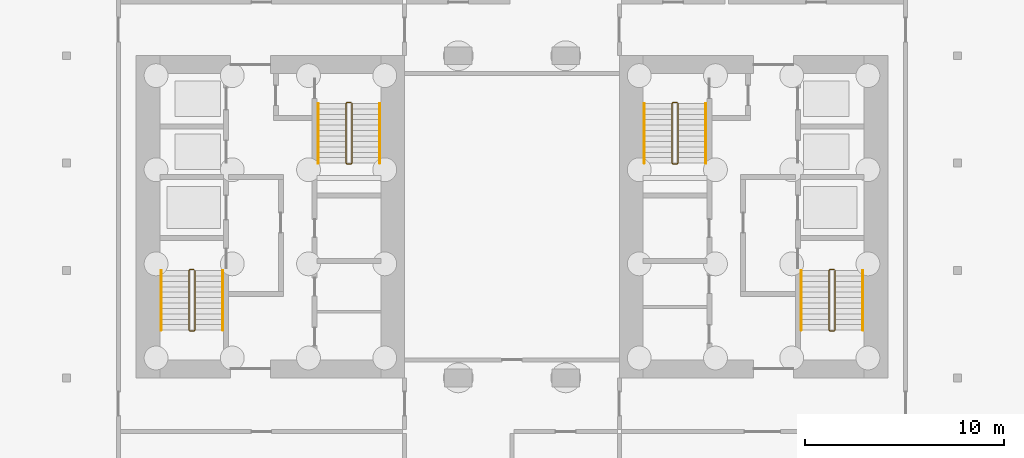
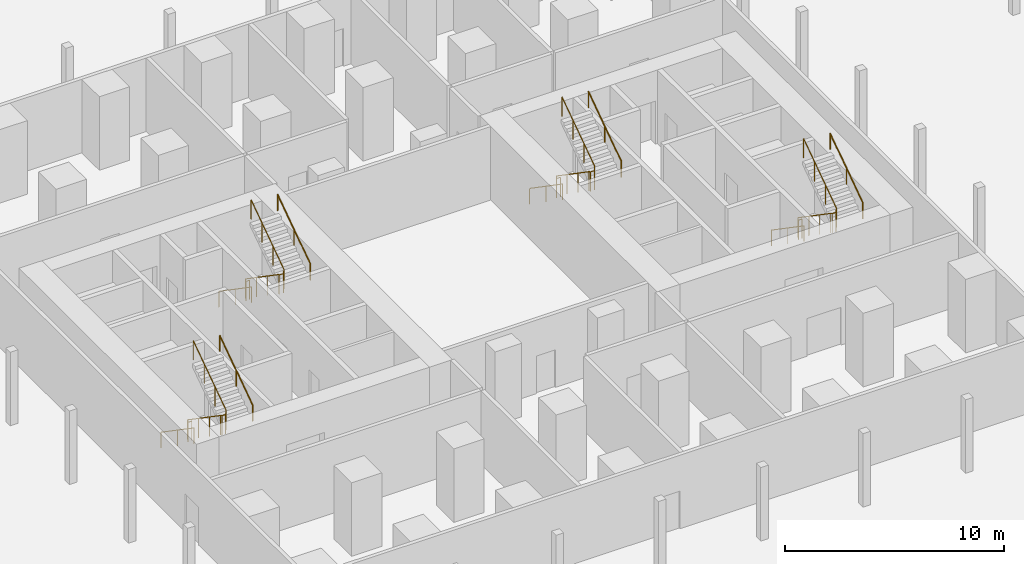
# One storey, part 7 of 8: 12 railings.
"""IFC4 building model written with IfcOpenShell, lengths in metres."""

from ifc_helpers import new_model, si_unit, direction, frame, origin, origin_2d, place, context, subcontext, project, spatial, circle, extrude, material, type_object, element, save


model = new_model("IFC4")

# Units and contexts
model_context = context("Model", 3, precision=1e-05, world=origin(), true_north=direction((0.0, 1.0)))
body_context = subcontext(model_context, "Body", "Model", "MODEL_VIEW")
ifc_project = project(units=[si_unit("LENGTHUNIT", "METRE"), si_unit("AREAUNIT", "SQUARE_METRE"), si_unit("VOLUMEUNIT", "CUBIC_METRE"), si_unit("PLANEANGLEUNIT", "RADIAN"), si_unit("MASSUNIT", "GRAM", prefix="KILO")], contexts=[model_context])

# Site, building, storey
site_placement = place(None, origin())
site = spatial("IfcSite", under=ifc_project, at=site_placement, CompositionType="ELEMENT")
building_placement = place(site_placement, origin())
building = spatial("IfcBuilding", under=site, at=building_placement, Name="Tabaq Tower and Sports Hall", CompositionType="ELEMENT")
storey_placement = place(building_placement, frame((0.0, 0.0, -9.0)))
storey = spatial("IfcBuildingStorey", under=building, at=storey_placement, Name="B02", CompositionType="ELEMENT", Elevation=-9.0)

# Railings
ifc_material_1 = material(Name="Stainless steel", Category="steel")
railing_type_1 = type_object("IfcRailingType", Name="Stair guard", PredefinedType="GUARDRAIL", material=ifc_material_1)
railing_1_placement = place(storey_placement, frame((8.300048828125, 21.64990234375, 0.0)))
element("IfcRailing", 1, at=railing_1_placement, inside=storey, type_object=railing_type_1, Name="B02 ST1 stair guard 1", PredefinedType="GUARDRAIL", context=body_context, shape_type="SweptSolid", body=[
    extrude(circle(Radius=0.02392578125, at=origin_2d()), frame((0.0, 0.0, 1.076171875), z_axis=(-1.0, 0.0, 0.0), x_axis=(0.0, -1.0, 0.0)), (0.0, 0.0, 1.0), 0.199951171875),
    extrude(circle(Radius=0.02392578125, at=origin_2d()), frame((-0.199951171875, 0.0, 1.076171875), z_axis=(-0.249802250048, -0.248583702486, 0.935844527007), x_axis=(0.705375805398, -0.708833529934, 0.0)), (0.0, 0.0, 1.0), 0.200439453125),
    extrude(circle(Radius=0.02392578125, at=origin_2d()), frame((-0.25, -0.0498046875, 1.263671875), z_axis=(0.0, -0.824041924199, 0.566528822887), x_axis=(1.0, 0.0, 0.0)), (0.0, 0.0, 1.0), 3.640625),
    extrude(circle(Radius=0.02392578125, at=origin_2d()), frame((-0.25, -3.0498046875, 3.326171875), z_axis=(0.707106781187, -0.707106781187, 0.0), x_axis=(0.707106781187, 0.707106781187, 0.0)), (0.0, 0.0, 1.0), 0.07080078125),
    extrude(circle(Radius=0.02392578125, at=origin_2d()), frame((-0.199951171875, -3.099853515625, 3.326171875), z_axis=(1.0, 0.0, 0.0), x_axis=(0.0, 1.0, 0.0)), (0.0, 0.0, 1.0), 0.199951171875),
    extrude(circle(Radius=0.02392578125, at=origin_2d()), frame((0.0, -3.099853515625, 3.326171875), z_axis=(0.249726431254, 0.249726431254, 0.935560483917), x_axis=(-0.707106781187, 0.707106781187, 0.0)), (0.0, 0.0, 1.0), 0.200439453125),
    extrude(circle(Radius=0.02392578125, at=origin_2d()), frame((0.050048828125, -3.0498046875, 3.513671875), z_axis=(0.0, 0.824041924199, 0.566528822887), x_axis=(-1.0, 0.0, 0.0)), (0.0, 0.0, 1.0), 3.640625),
    extrude(circle(Radius=0.02099609375, at=origin_2d()), origin(), (0.0, 0.0, 1.0), 1.052001953125),
    extrude(circle(Radius=0.02099609375, at=origin_2d()), frame((-0.199951171875, 0.0, 0.0)), (0.0, 0.0, 1.0), 1.052001953125),
    extrude(circle(Radius=0.02099609375, at=origin_2d()), frame((-0.25, -0.0498046875, 0.1875)), (0.0, 0.0, 1.0), 1.052001953125),
    extrude(circle(Radius=0.02099609375, at=origin_2d()), frame((-0.25, -1.0498046875, 0.875)), (0.0, 0.0, 1.0), 1.052001953125),
    extrude(circle(Radius=0.02099609375, at=origin_2d()), frame((-0.25, -2.0498046875, 1.5625)), (0.0, 0.0, 1.0), 1.052001953125),
    extrude(circle(Radius=0.02099609375, at=origin_2d()), frame((-0.25, -3.0498046875, 2.25)), (0.0, 0.0, 1.0), 1.052001953125),
    extrude(circle(Radius=0.02099609375, at=origin_2d()), frame((-0.199951171875, -3.099853515625, 2.25)), (0.0, 0.0, 1.0), 1.052001953125),
    extrude(circle(Radius=0.02099609375, at=origin_2d()), frame((0.0, -3.099853515625, 2.25)), (0.0, 0.0, 1.0), 1.052001953125),
    extrude(circle(Radius=0.02099609375, at=origin_2d()), frame((0.050048828125, -3.0498046875, 2.4375)), (0.0, 0.0, 1.0), 1.052001953125),
    extrude(circle(Radius=0.02099609375, at=origin_2d()), frame((0.050048828125, -2.0498046875, 3.125)), (0.0, 0.0, 1.0), 1.052001953125),
    extrude(circle(Radius=0.02099609375, at=origin_2d()), frame((0.050048828125, -1.0498046875, 3.8125)), (0.0, 0.0, 1.0), 1.052001953125),
    extrude(circle(Radius=0.02099609375, at=origin_2d()), frame((0.050048828125, -0.0498046875, 4.5)), (0.0, 0.0, 1.0), 1.052001953125),
])
railing_2_placement = place(storey_placement, frame((16.199951171875, 30.050048828125, 0.0)))
element("IfcRailing", 2, at=railing_2_placement, inside=storey, type_object=railing_type_1, Name="B02 ST2 stair guard 1", PredefinedType="GUARDRAIL", context=body_context, shape_type="SweptSolid", body=[
    extrude(circle(Radius=0.02392578125, at=origin_2d()), frame((0.0, 0.0, 1.076171875), z_axis=(-1.0, 0.0, 0.0), x_axis=(0.0, -1.0, 0.0)), (0.0, 0.0, 1.0), 0.199951171875),
    extrude(circle(Radius=0.02392578125, at=origin_2d()), frame((-0.199951171875, 0.0, 1.076171875), z_axis=(-0.249726431254, -0.249726431254, 0.935560483917), x_axis=(0.707106781187, -0.707106781187, 0.0)), (0.0, 0.0, 1.0), 0.200439453125),
    extrude(circle(Radius=0.02392578125, at=origin_2d()), frame((-0.25, -0.050048828125, 1.263671875), z_axis=(0.0, -0.824041924199, 0.566528822887), x_axis=(1.0, 0.0, 0.0)), (0.0, 0.0, 1.0), 3.640625),
    extrude(circle(Radius=0.02392578125, at=origin_2d()), frame((-0.25, -3.050048828125, 3.326171875), z_axis=(0.707106781187, -0.707106781187, 0.0), x_axis=(0.707106781187, 0.707106781187, 0.0)), (0.0, 0.0, 1.0), 0.07080078125),
    extrude(circle(Radius=0.02392578125, at=origin_2d()), frame((-0.199951171875, -3.10009765625, 3.326171875), z_axis=(1.0, 0.0, 0.0), x_axis=(0.0, 1.0, 0.0)), (0.0, 0.0, 1.0), 0.199951171875),
    extrude(circle(Radius=0.02392578125, at=origin_2d()), frame((0.0, -3.10009765625, 3.326171875), z_axis=(0.249726431254, 0.249726431254, 0.935560483917), x_axis=(-0.707106781187, 0.707106781187, 0.0)), (0.0, 0.0, 1.0), 0.200439453125),
    extrude(circle(Radius=0.02392578125, at=origin_2d()), frame((0.050048828125, -3.050048828125, 3.513671875), z_axis=(0.0, 0.824041924199, 0.566528822887), x_axis=(-1.0, 0.0, 0.0)), (0.0, 0.0, 1.0), 3.640625),
    extrude(circle(Radius=0.02099609375, at=origin_2d()), origin(), (0.0, 0.0, 1.0), 1.052001953125),
    extrude(circle(Radius=0.02099609375, at=origin_2d()), frame((-0.199951171875, 0.0, 0.0)), (0.0, 0.0, 1.0), 1.052001953125),
    extrude(circle(Radius=0.02099609375, at=origin_2d()), frame((-0.25, -0.050048828125, 0.1875)), (0.0, 0.0, 1.0), 1.052001953125),
    extrude(circle(Radius=0.02099609375, at=origin_2d()), frame((-0.25, -1.050048828125, 0.875)), (0.0, 0.0, 1.0), 1.052001953125),
    extrude(circle(Radius=0.02099609375, at=origin_2d()), frame((-0.25, -2.050048828125, 1.5625)), (0.0, 0.0, 1.0), 1.052001953125),
    extrude(circle(Radius=0.02099609375, at=origin_2d()), frame((-0.25, -3.050048828125, 2.25)), (0.0, 0.0, 1.0), 1.052001953125),
    extrude(circle(Radius=0.02099609375, at=origin_2d()), frame((-0.199951171875, -3.10009765625, 2.25)), (0.0, 0.0, 1.0), 1.052001953125),
    extrude(circle(Radius=0.02099609375, at=origin_2d()), frame((0.0, -3.10009765625, 2.25)), (0.0, 0.0, 1.0), 1.052001953125),
    extrude(circle(Radius=0.02099609375, at=origin_2d()), frame((0.050048828125, -3.050048828125, 2.4375)), (0.0, 0.0, 1.0), 1.052001953125),
    extrude(circle(Radius=0.02099609375, at=origin_2d()), frame((0.050048828125, -2.050048828125, 3.125)), (0.0, 0.0, 1.0), 1.052001953125),
    extrude(circle(Radius=0.02099609375, at=origin_2d()), frame((0.050048828125, -1.050048828125, 3.8125)), (0.0, 0.0, 1.0), 1.052001953125),
    extrude(circle(Radius=0.02099609375, at=origin_2d()), frame((0.050048828125, -0.050048828125, 4.5)), (0.0, 0.0, 1.0), 1.052001953125),
])
railing_3_placement = place(storey_placement, frame((40.5, 21.64990234375, 0.0)))
element("IfcRailing", 3, at=railing_3_placement, inside=storey, type_object=railing_type_1, Name="B02 ST3 stair guard 1", PredefinedType="GUARDRAIL", context=body_context, shape_type="SweptSolid", body=[
    extrude(circle(Radius=0.02392578125, at=origin_2d()), frame((0.0, 0.0, 1.076171875), z_axis=(-1.0, 0.0, 0.0), x_axis=(0.0, -1.0, 0.0)), (0.0, 0.0, 1.0), 0.199951171875),
    extrude(circle(Radius=0.02392578125, at=origin_2d()), frame((-0.199951171875, 0.0, 1.076171875), z_axis=(-0.249802250048, -0.248583702486, 0.935844527007), x_axis=(0.705375805398, -0.708833529934, 0.0)), (0.0, 0.0, 1.0), 0.200439453125),
    extrude(circle(Radius=0.02392578125, at=origin_2d()), frame((-0.25, -0.0498046875, 1.263671875), z_axis=(0.0, -0.824041924199, 0.566528822887), x_axis=(1.0, 0.0, 0.0)), (0.0, 0.0, 1.0), 3.640625),
    extrude(circle(Radius=0.02392578125, at=origin_2d()), frame((-0.25, -3.0498046875, 3.326171875), z_axis=(0.707106781187, -0.707106781187, 0.0), x_axis=(0.707106781187, 0.707106781187, 0.0)), (0.0, 0.0, 1.0), 0.07080078125),
    extrude(circle(Radius=0.02392578125, at=origin_2d()), frame((-0.199951171875, -3.099853515625, 3.326171875), z_axis=(1.0, 0.0, 0.0), x_axis=(0.0, 1.0, 0.0)), (0.0, 0.0, 1.0), 0.199951171875),
    extrude(circle(Radius=0.02392578125, at=origin_2d()), frame((0.0, -3.099853515625, 3.326171875), z_axis=(0.249726431254, 0.249726431254, 0.935560483917), x_axis=(-0.707106781187, 0.707106781187, 0.0)), (0.0, 0.0, 1.0), 0.200439453125),
    extrude(circle(Radius=0.02392578125, at=origin_2d()), frame((0.050048828125, -3.0498046875, 3.513671875), z_axis=(0.0, 0.824041924199, 0.566528822887), x_axis=(-1.0, 0.0, 0.0)), (0.0, 0.0, 1.0), 3.640625),
    extrude(circle(Radius=0.02099609375, at=origin_2d()), origin(), (0.0, 0.0, 1.0), 1.052001953125),
    extrude(circle(Radius=0.02099609375, at=origin_2d()), frame((-0.199951171875, 0.0, 0.0)), (0.0, 0.0, 1.0), 1.052001953125),
    extrude(circle(Radius=0.02099609375, at=origin_2d()), frame((-0.25, -0.0498046875, 0.1875)), (0.0, 0.0, 1.0), 1.052001953125),
    extrude(circle(Radius=0.02099609375, at=origin_2d()), frame((-0.25, -1.0498046875, 0.875)), (0.0, 0.0, 1.0), 1.052001953125),
    extrude(circle(Radius=0.02099609375, at=origin_2d()), frame((-0.25, -2.0498046875, 1.5625)), (0.0, 0.0, 1.0), 1.052001953125),
    extrude(circle(Radius=0.02099609375, at=origin_2d()), frame((-0.25, -3.0498046875, 2.25)), (0.0, 0.0, 1.0), 1.052001953125),
    extrude(circle(Radius=0.02099609375, at=origin_2d()), frame((-0.199951171875, -3.099853515625, 2.25)), (0.0, 0.0, 1.0), 1.052001953125),
    extrude(circle(Radius=0.02099609375, at=origin_2d()), frame((0.0, -3.099853515625, 2.25)), (0.0, 0.0, 1.0), 1.052001953125),
    extrude(circle(Radius=0.02099609375, at=origin_2d()), frame((0.050048828125, -3.0498046875, 2.4375)), (0.0, 0.0, 1.0), 1.052001953125),
    extrude(circle(Radius=0.02099609375, at=origin_2d()), frame((0.050048828125, -2.0498046875, 3.125)), (0.0, 0.0, 1.0), 1.052001953125),
    extrude(circle(Radius=0.02099609375, at=origin_2d()), frame((0.050048828125, -1.0498046875, 3.8125)), (0.0, 0.0, 1.0), 1.052001953125),
    extrude(circle(Radius=0.02099609375, at=origin_2d()), frame((0.050048828125, -0.0498046875, 4.5)), (0.0, 0.0, 1.0), 1.052001953125),
])
railing_4_placement = place(storey_placement, frame((32.60009765625, 30.050048828125, 0.0)))
element("IfcRailing", 4, at=railing_4_placement, inside=storey, type_object=railing_type_1, Name="B02 ST4 stair guard 1", PredefinedType="GUARDRAIL", context=body_context, shape_type="SweptSolid", body=[
    extrude(circle(Radius=0.02392578125, at=origin_2d()), frame((0.0, 0.0, 1.076171875), z_axis=(-1.0, 0.0, 0.0), x_axis=(0.0, -1.0, 0.0)), (0.0, 0.0, 1.0), 0.2001953125),
    extrude(circle(Radius=0.02392578125, at=origin_2d()), frame((-0.2001953125, 0.0, 1.076171875), z_axis=(-0.248583702486, -0.249802250048, 0.935844527007), x_axis=(0.708833529934, -0.705375805398, 0.0)), (0.0, 0.0, 1.0), 0.200439453125),
    extrude(circle(Radius=0.02392578125, at=origin_2d()), frame((-0.25, -0.050048828125, 1.263671875), z_axis=(0.0, -0.824041924199, 0.566528822887), x_axis=(1.0, 0.0, 0.0)), (0.0, 0.0, 1.0), 3.640625),
    extrude(circle(Radius=0.02392578125, at=origin_2d()), frame((-0.25, -3.050048828125, 3.326171875), z_axis=(0.705375805398, -0.708833529934, 0.0), x_axis=(0.708833529934, 0.705375805398, 0.0)), (0.0, 0.0, 1.0), 0.070556640625),
    extrude(circle(Radius=0.02392578125, at=origin_2d()), frame((-0.2001953125, -3.10009765625, 3.326171875), z_axis=(1.0, 0.0, 0.0), x_axis=(0.0, 1.0, 0.0)), (0.0, 0.0, 1.0), 0.2001953125),
    extrude(circle(Radius=0.02392578125, at=origin_2d()), frame((0.0, -3.10009765625, 3.326171875), z_axis=(0.248583702486, 0.249802250048, 0.935844527007), x_axis=(-0.708833529934, 0.705375805398, 0.0)), (0.0, 0.0, 1.0), 0.200439453125),
    extrude(circle(Radius=0.02392578125, at=origin_2d()), frame((0.0498046875, -3.050048828125, 3.513671875), z_axis=(0.0, 0.824041924199, 0.566528822887), x_axis=(-1.0, 0.0, 0.0)), (0.0, 0.0, 1.0), 3.640625),
    extrude(circle(Radius=0.02099609375, at=origin_2d()), origin(), (0.0, 0.0, 1.0), 1.052001953125),
    extrude(circle(Radius=0.02099609375, at=origin_2d()), frame((-0.2001953125, 0.0, 0.0)), (0.0, 0.0, 1.0), 1.052001953125),
    extrude(circle(Radius=0.02099609375, at=origin_2d()), frame((-0.25, -0.050048828125, 0.1875)), (0.0, 0.0, 1.0), 1.052001953125),
    extrude(circle(Radius=0.02099609375, at=origin_2d()), frame((-0.25, -1.050048828125, 0.875)), (0.0, 0.0, 1.0), 1.052001953125),
    extrude(circle(Radius=0.02099609375, at=origin_2d()), frame((-0.25, -2.050048828125, 1.5625)), (0.0, 0.0, 1.0), 1.052001953125),
    extrude(circle(Radius=0.02099609375, at=origin_2d()), frame((-0.25, -3.050048828125, 2.25)), (0.0, 0.0, 1.0), 1.052001953125),
    extrude(circle(Radius=0.02099609375, at=origin_2d()), frame((-0.2001953125, -3.10009765625, 2.25)), (0.0, 0.0, 1.0), 1.052001953125),
    extrude(circle(Radius=0.02099609375, at=origin_2d()), frame((0.0, -3.10009765625, 2.25)), (0.0, 0.0, 1.0), 1.052001953125),
    extrude(circle(Radius=0.02099609375, at=origin_2d()), frame((0.0498046875, -3.050048828125, 2.4375)), (0.0, 0.0, 1.0), 1.052001953125),
    extrude(circle(Radius=0.02099609375, at=origin_2d()), frame((0.0498046875, -2.050048828125, 3.125)), (0.0, 0.0, 1.0), 1.052001953125),
    extrude(circle(Radius=0.02099609375, at=origin_2d()), frame((0.0498046875, -1.050048828125, 3.8125)), (0.0, 0.0, 1.0), 1.052001953125),
    extrude(circle(Radius=0.02099609375, at=origin_2d()), frame((0.0498046875, -0.050048828125, 4.5)), (0.0, 0.0, 1.0), 1.052001953125),
])
ifc_material_2 = material(Name="Stainless steel", Category="steel")
railing_type_2 = type_object("IfcRailingType", Name="Stair handrail", PredefinedType="HANDRAIL", material=ifc_material_2)
railing_5_placement = place(storey_placement, frame((6.64990234375, 21.60009765625, 0.1875)))
element("IfcRailing", 5, at=railing_5_placement, inside=storey, type_object=railing_type_2, Name="B02 ST1 stair handrail 1", PredefinedType="HANDRAIL", context=body_context, shape_type="SweptSolid", body=[
    extrude(circle(Radius=0.02392578125, at=origin_2d()), frame((0.0, 0.0, 0.8759765625), z_axis=(0.0, -0.824041924199, 0.566528822887), x_axis=(1.0, 0.0, 0.0)), (0.0, 0.0, 1.0), 3.640625),
    extrude(circle(Radius=0.02099609375, at=origin_2d()), origin(), (0.0, 0.0, 1.0), 0.851806640625),
    extrude(circle(Radius=0.02099609375, at=origin_2d()), frame((0.0, -1.5, 1.03125)), (0.0, 0.0, 1.0), 0.851806640625),
    extrude(circle(Radius=0.02099609375, at=origin_2d()), frame((0.0, -3.0, 2.0625)), (0.0, 0.0, 1.0), 0.851806640625),
])
railing_6_placement = place(storey_placement, frame((9.75, 18.60009765625, 2.4375)))
element("IfcRailing", 6, at=railing_6_placement, inside=storey, type_object=railing_type_2, Name="B02 ST1 stair handrail 2", PredefinedType="HANDRAIL", context=body_context, shape_type="SweptSolid", body=[
    extrude(circle(Radius=0.02392578125, at=origin_2d()), frame((0.0, 0.0, 0.8759765625), z_axis=(0.0, 0.824041924199, 0.566528822887), x_axis=(-1.0, 0.0, 0.0)), (0.0, 0.0, 1.0), 3.640625),
    extrude(circle(Radius=0.02099609375, at=origin_2d()), origin(), (0.0, 0.0, 1.0), 0.851806640625),
    extrude(circle(Radius=0.02099609375, at=origin_2d()), frame((0.0, 1.5, 1.03125)), (0.0, 0.0, 1.0), 0.851806640625),
    extrude(circle(Radius=0.02099609375, at=origin_2d()), frame((0.0, 3.0, 2.0625)), (0.0, 0.0, 1.0), 0.851806640625),
])
railing_7_placement = place(storey_placement, frame((14.550048828125, 30.0, 0.1875)))
element("IfcRailing", 7, at=railing_7_placement, inside=storey, type_object=railing_type_2, Name="B02 ST2 stair handrail 1", PredefinedType="HANDRAIL", context=body_context, shape_type="SweptSolid", body=[
    extrude(circle(Radius=0.02392578125, at=origin_2d()), frame((0.0, 0.0, 0.8759765625), z_axis=(0.0, -0.824041924199, 0.566528822887), x_axis=(1.0, 0.0, 0.0)), (0.0, 0.0, 1.0), 3.640625),
    extrude(circle(Radius=0.02099609375, at=origin_2d()), origin(), (0.0, 0.0, 1.0), 0.851806640625),
    extrude(circle(Radius=0.02099609375, at=origin_2d()), frame((0.0, -1.5, 1.03125)), (0.0, 0.0, 1.0), 0.851806640625),
    extrude(circle(Radius=0.02099609375, at=origin_2d()), frame((0.0, -3.0, 2.0625)), (0.0, 0.0, 1.0), 0.851806640625),
])
railing_8_placement = place(storey_placement, frame((17.64990234375, 27.0, 2.4375)))
element("IfcRailing", 8, at=railing_8_placement, inside=storey, type_object=railing_type_2, Name="B02 ST2 stair handrail 2", PredefinedType="HANDRAIL", context=body_context, shape_type="SweptSolid", body=[
    extrude(circle(Radius=0.02392578125, at=origin_2d()), frame((0.0, 0.0, 0.8759765625), z_axis=(0.0, 0.824041924199, 0.566528822887), x_axis=(-1.0, 0.0, 0.0)), (0.0, 0.0, 1.0), 3.640625),
    extrude(circle(Radius=0.02099609375, at=origin_2d()), origin(), (0.0, 0.0, 1.0), 0.851806640625),
    extrude(circle(Radius=0.02099609375, at=origin_2d()), frame((0.0, 1.5, 1.03125)), (0.0, 0.0, 1.0), 0.851806640625),
    extrude(circle(Radius=0.02099609375, at=origin_2d()), frame((0.0, 3.0, 2.0625)), (0.0, 0.0, 1.0), 0.851806640625),
])
railing_9_placement = place(storey_placement, frame((38.85009765625, 21.60009765625, 0.1875)))
element("IfcRailing", 9, at=railing_9_placement, inside=storey, type_object=railing_type_2, Name="B02 ST3 stair handrail 1", PredefinedType="HANDRAIL", context=body_context, shape_type="SweptSolid", body=[
    extrude(circle(Radius=0.02392578125, at=origin_2d()), frame((0.0, 0.0, 0.8759765625), z_axis=(0.0, -0.824041924199, 0.566528822887), x_axis=(1.0, 0.0, 0.0)), (0.0, 0.0, 1.0), 3.640625),
    extrude(circle(Radius=0.02099609375, at=origin_2d()), origin(), (0.0, 0.0, 1.0), 0.851806640625),
    extrude(circle(Radius=0.02099609375, at=origin_2d()), frame((0.0, -1.5, 1.03125)), (0.0, 0.0, 1.0), 0.851806640625),
    extrude(circle(Radius=0.02099609375, at=origin_2d()), frame((0.0, -3.0, 2.0625)), (0.0, 0.0, 1.0), 0.851806640625),
])
railing_10_placement = place(storey_placement, frame((41.949951171875, 18.60009765625, 2.4375)))
element("IfcRailing", 10, at=railing_10_placement, inside=storey, type_object=railing_type_2, Name="B02 ST3 stair handrail 2", PredefinedType="HANDRAIL", context=body_context, shape_type="SweptSolid", body=[
    extrude(circle(Radius=0.02392578125, at=origin_2d()), frame((0.0, 0.0, 0.8759765625), z_axis=(0.0, 0.824041924199, 0.566528822887), x_axis=(-1.0, 0.0, 0.0)), (0.0, 0.0, 1.0), 3.640625),
    extrude(circle(Radius=0.02099609375, at=origin_2d()), origin(), (0.0, 0.0, 1.0), 0.851806640625),
    extrude(circle(Radius=0.02099609375, at=origin_2d()), frame((0.0, 1.5, 1.03125)), (0.0, 0.0, 1.0), 0.851806640625),
    extrude(circle(Radius=0.02099609375, at=origin_2d()), frame((0.0, 3.0, 2.0625)), (0.0, 0.0, 1.0), 0.851806640625),
])
railing_11_placement = place(storey_placement, frame((30.949951171875, 30.0, 0.1875)))
element("IfcRailing", 11, at=railing_11_placement, inside=storey, type_object=railing_type_2, Name="B02 ST4 stair handrail 1", PredefinedType="HANDRAIL", context=body_context, shape_type="SweptSolid", body=[
    extrude(circle(Radius=0.02392578125, at=origin_2d()), frame((0.0, 0.0, 0.8759765625), z_axis=(0.0, -0.824041924199, 0.566528822887), x_axis=(1.0, 0.0, 0.0)), (0.0, 0.0, 1.0), 3.640625),
    extrude(circle(Radius=0.02099609375, at=origin_2d()), origin(), (0.0, 0.0, 1.0), 0.851806640625),
    extrude(circle(Radius=0.02099609375, at=origin_2d()), frame((0.0, -1.5, 1.03125)), (0.0, 0.0, 1.0), 0.851806640625),
    extrude(circle(Radius=0.02099609375, at=origin_2d()), frame((0.0, -3.0, 2.0625)), (0.0, 0.0, 1.0), 0.851806640625),
])
railing_12_placement = place(storey_placement, frame((34.050048828125, 27.0, 2.4375)))
element("IfcRailing", 12, at=railing_12_placement, inside=storey, type_object=railing_type_2, Name="B02 ST4 stair handrail 2", PredefinedType="HANDRAIL", context=body_context, shape_type="SweptSolid", body=[
    extrude(circle(Radius=0.02392578125, at=origin_2d()), frame((0.0, 0.0, 0.8759765625), z_axis=(0.0, 0.824041924199, 0.566528822887), x_axis=(-1.0, 0.0, 0.0)), (0.0, 0.0, 1.0), 3.640625),
    extrude(circle(Radius=0.02099609375, at=origin_2d()), origin(), (0.0, 0.0, 1.0), 0.851806640625),
    extrude(circle(Radius=0.02099609375, at=origin_2d()), frame((0.0, 1.5, 1.03125)), (0.0, 0.0, 1.0), 0.851806640625),
    extrude(circle(Radius=0.02099609375, at=origin_2d()), frame((0.0, 3.0, 2.0625)), (0.0, 0.0, 1.0), 0.851806640625),
])

save(model, "model.ifc")
